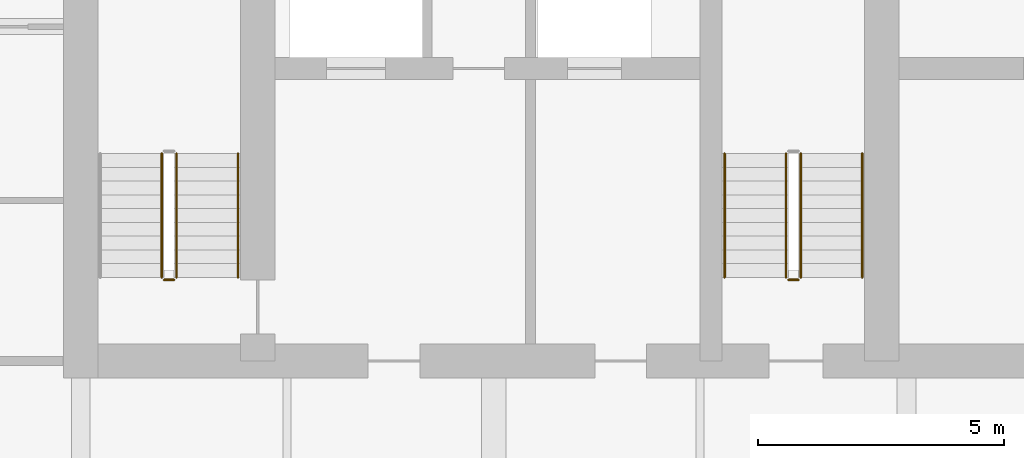
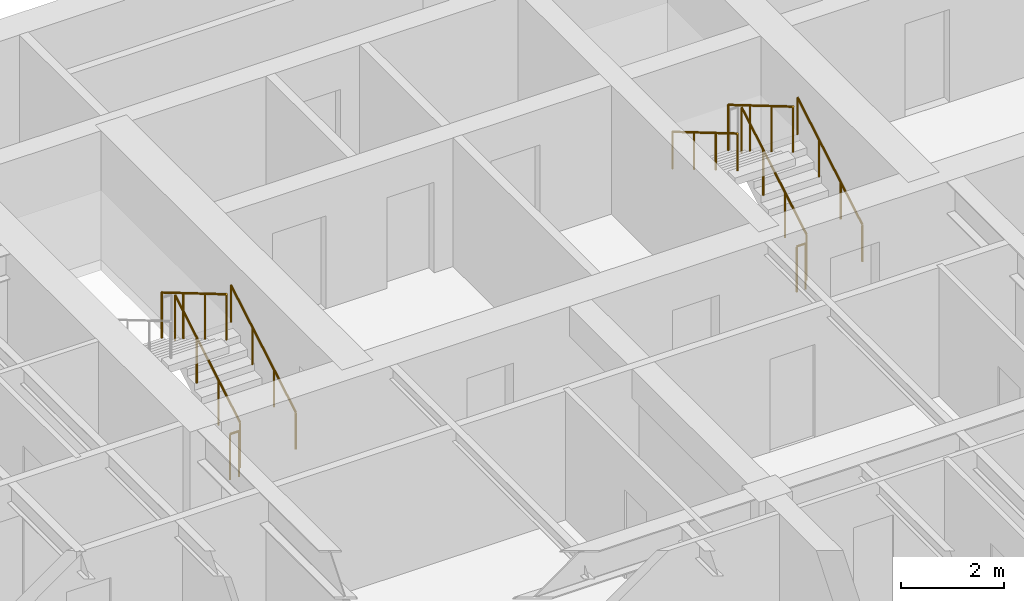
# One storey, part 14 of 17: 9 railings.
"""IFC4 building model written with IfcOpenShell, lengths in metres."""

import ifcopenshell
import ifcopenshell.guid

model = None  # the IFC model being written
_history = None  # IfcOwnerHistory: only IFC2X3 demands one
_inside = {}  # id of a spatial element -> (the spatial element, [elements in it])
_under = {}  # id of a project, library or spatial element -> (it, [spatial elements below it])
_declared = {}  # id of a project -> (the project, [libraries it declares])
_typed = {}  # id of a type object -> (the type object, [elements of that type])
_made_of = {}  # id of a material, layer set ... -> (it, [elements and type objects made of it])


def new_model(schema):
    """Start an empty IFC model of exactly this schema.

    Asked for "IFC4X3", IfcOpenShell would pick the latest addendum, in which some entities
    have other attributes; the version numbers below select the first issue.
    IFC2X3 requires an IfcOwnerHistory on every rooted entity: one is made here for all.
    """
    global model, _history
    if schema == "IFC4X3":
        model = ifcopenshell.file(schema_version=(4, 3, 0, 0))
    else:
        model = ifcopenshell.file(schema=schema)
    _inside.clear()
    _under.clear()
    _declared.clear()
    _typed.clear()
    _made_of.clear()
    _history = None
    if model.schema == "IFC2X3":
        org = make("IfcOrganization", Name="unknown")
        user = make(
            "IfcPersonAndOrganization",
            ThePerson=make("IfcPerson", FamilyName="unknown"),
            TheOrganization=org,
        )
        app = make(
            "IfcApplication",
            ApplicationDeveloper=org,
            Version="unknown",
            ApplicationFullName="unknown",
            ApplicationIdentifier="unknown",
        )
        _history = make(
            "IfcOwnerHistory",
            OwningUser=user,
            OwningApplication=app,
            ChangeAction="ADDED",
            CreationDate=0,
        )
    return model


def make(cls, **values):
    """One entity of the class cls with the attributes given. An attribute that is None is left unset."""
    return model.create_entity(
        cls, **{name: value for name, value in values.items() if value is not None}
    )


def rooted(cls, **values):
    """An entity with a GlobalId (a new one), such as an element, a storey or a relation."""
    return make(cls, GlobalId=ifcopenshell.guid.new(), OwnerHistory=_history, **values)


def si_unit(unit_type, name, prefix=None):
    """IfcSIUnit, for example si_unit("LENGTHUNIT", "METRE", prefix="MILLI")."""
    return make("IfcSIUnit", UnitType=unit_type, Prefix=prefix, Name=name)


def assignment(units):
    """IfcUnitAssignment: the units of a project."""
    return None if units is None else make("IfcUnitAssignment", Units=units)


def point(xyz):
    """IfcCartesianPoint."""
    return None if xyz is None else make("IfcCartesianPoint", Coordinates=xyz)


def direction(xyz):
    """IfcDirection."""
    return None if xyz is None else make("IfcDirection", DirectionRatios=xyz)


def frame(location, z_axis=None, x_axis=None):
    """IfcAxis2Placement3D, a coordinate frame: its origin and axes. An axis left out is left unset."""
    return make(
        "IfcAxis2Placement3D",
        Location=point(location),
        Axis=direction(z_axis),
        RefDirection=direction(x_axis),
    )


def frame_2d(location, x_axis=None):
    """IfcAxis2Placement2D, a coordinate frame in the plane: its origin and x axis."""
    return make(
        "IfcAxis2Placement2D", Location=point(location), RefDirection=direction(x_axis)
    )


def origin():
    """The frame at (0, 0, 0) with its axes left unset."""
    return frame((0.0, 0.0, 0.0))


def origin_2d():
    """The frame at (0, 0) in the plane with its x axis left unset."""
    return frame_2d((0.0, 0.0))


def place(relative_to, where):
    """IfcLocalPlacement: puts the frame where relative to a parent placement (None: the world)."""
    return make(
        "IfcLocalPlacement", PlacementRelTo=relative_to, RelativePlacement=where
    )


def context(
    kind, dimensions, precision=None, world=None, true_north=None, identifier=None
):
    """IfcGeometricRepresentationContext, for example the 3D "Model" context."""
    return make(
        "IfcGeometricRepresentationContext",
        ContextIdentifier=identifier,
        ContextType=kind,
        CoordinateSpaceDimension=dimensions,
        Precision=precision,
        WorldCoordinateSystem=world,
        TrueNorth=true_north,
    )


def subcontext(parent, identifier, kind, view, scale=None):
    """IfcGeometricRepresentationSubContext, for example "Body" below "Model"."""
    return make(
        "IfcGeometricRepresentationSubContext",
        ContextIdentifier=identifier,
        ContextType=kind,
        ParentContext=parent,
        TargetScale=scale,
        TargetView=view,
    )


def project(units=None, contexts=None):
    """IfcProject with its units and contexts."""
    return rooted(
        "IfcProject",
        Name="project",
        RepresentationContexts=contexts,
        UnitsInContext=assignment(units),
    )


def spatial(cls, under=None, at=None, **own):
    """A site, building, storey or space (cls), placed at a placement, below another one or the project."""
    s = rooted(cls, ObjectPlacement=at, **own)
    if under is not None:
        _under.setdefault(under.id(), (under, []))[1].append(s)
    return s


def profile(cls, at=None, kind="AREA", **sizes):
    """A parametric profile (cls). Its sizes go by their IFC names, for example OverallWidth=200.0."""
    return make(cls, ProfileType=kind, Position=at, **sizes)


def circle(**sizes):
    """IfcCircleProfileDef."""
    return profile("IfcCircleProfileDef", **sizes)


def extrude(swept, where, along, depth):
    """IfcExtrudedAreaSolid: the profile swept, set in the frame where, extruded along a direction by depth."""
    return make(
        "IfcExtrudedAreaSolid",
        SweptArea=swept,
        Position=where,
        ExtrudedDirection=direction(along),
        Depth=depth,
    )


def shape(context_of_items, identifier, shape_type, items):
    """IfcShapeRepresentation: the items that make up one representation, for example the "Body"."""
    return make(
        "IfcShapeRepresentation",
        ContextOfItems=context_of_items,
        RepresentationIdentifier=identifier,
        RepresentationType=shape_type,
        Items=items,
    )


def material(Name=None, Category=None):
    """IfcMaterial."""
    return make("IfcMaterial", Name=Name, Category=Category)


def made_of(thing, what):
    """Note that an element or type object is made of a material, layer set ...; save() writes the relation."""
    if what is not None:
        _made_of.setdefault(what.id(), (what, []))[1].append(thing)
    return thing


def type_object(cls, material=None, **own):
    """A type object (cls), such as IfcWallType, which elements share."""
    return made_of(rooted(cls, **own), material)


def element(
    cls,
    number,
    at=None,
    inside=None,
    cuts=None,
    type_object=None,
    material=None,
    context=None,
    identifier="Body",
    shape_type=None,
    held_by="IfcProductDefinitionShape",
    body=None,
    shapes=None,
    **own,
):
    """One element of the class cls, such as IfcWall. Its Tag is "e" and its number.

    at: its placement. inside: the storey or other place that contains it. cuts: it is an
    opening in that element (IfcRelVoidsElement). A single representation is given by context,
    identifier, shape_type and body (its items); several are given by shapes. held_by: the class
    of the entity that holds the representations. save() writes the other relations.
    """
    e = rooted(cls, Tag="e%d" % number, ObjectPlacement=at, **own)
    if body is not None:
        shapes = [shape(context, identifier, shape_type, body)]
    if shapes is not None:
        e.Representation = make(held_by, Representations=shapes)
    if inside is not None:
        _inside.setdefault(inside.id(), (inside, []))[1].append(e)
    if cuts is not None:
        rooted(
            "IfcRelVoidsElement", RelatingBuildingElement=cuts, RelatedOpeningElement=e
        )
    if type_object is not None:
        _typed.setdefault(type_object.id(), (type_object, []))[1].append(e)
    return made_of(e, material)


def aggregate(whole, parts):
    """IfcRelAggregates: a whole, such as a stair, and the parts it consists of."""
    return rooted("IfcRelAggregates", RelatingObject=whole, RelatedObjects=parts)


def save(model, path):
    """Write the relations noted so far, then the file.

    IfcRelAggregates (storeys below a building ...), IfcRelContainedInSpatialStructure (elements
    in a storey), IfcRelDefinesByType, IfcRelAssociatesMaterial and IfcRelDeclares: one each for
    every whole, place, type object, material and project.
    """
    for whole, parts in _under.values():
        aggregate(whole, parts)
    for where, things in _inside.values():
        rooted(
            "IfcRelContainedInSpatialStructure",
            RelatedElements=things,
            RelatingStructure=where,
        )
    for kind, things in _typed.values():
        rooted("IfcRelDefinesByType", RelatedObjects=things, RelatingType=kind)
    for what, things in _made_of.values():
        rooted("IfcRelAssociatesMaterial", RelatedObjects=things, RelatingMaterial=what)
    for by, libraries in _declared.values():
        rooted("IfcRelDeclares", RelatingContext=by, RelatedDefinitions=libraries)
    model.write(path)


model = new_model("IFC4")

# Units and contexts
model_context = context("Model", 3, precision=1e-05, world=origin(), true_north=direction((0.0, 1.0)))
body_context = subcontext(model_context, "Body", "Model", "MODEL_VIEW")
ifc_project = project(units=[si_unit("LENGTHUNIT", "METRE"), si_unit("AREAUNIT", "SQUARE_METRE"), si_unit("VOLUMEUNIT", "CUBIC_METRE"), si_unit("PLANEANGLEUNIT", "RADIAN"), si_unit("MASSUNIT", "GRAM", prefix="KILO")], contexts=[model_context])

# Site, building, storey
site_placement = place(None, origin())
site = spatial("IfcSite", under=ifc_project, at=site_placement, CompositionType="ELEMENT")
building_placement = place(site_placement, origin())
building = spatial("IfcBuilding", under=site, at=building_placement, Name="Caelmar Bay Residences", CompositionType="ELEMENT")
storey_placement = place(building_placement, frame((0.0, 0.0, 259.5)))
storey = spatial("IfcBuildingStorey", under=building, at=storey_placement, Name="L73", CompositionType="ELEMENT", Elevation=259.5)

# Railings
ifc_material_1 = material(Name="Painted galvanized steel stair guard 1100 mm", Category="steel")
railing_type_1 = type_object("IfcRailingType", Name="RL-GRD-1100", PredefinedType="GUARDRAIL", material=ifc_material_1)
railing_1_placement = place(storey_placement, frame((20.25, 38.699951171875, 0.1650390625)))
element("IfcRailing", 1, at=railing_1_placement, inside=storey, type_object=railing_type_1, Name="L73 ST1 stair guard 1", PredefinedType="GUARDRAIL", context=body_context, shape_type="SweptSolid", body=[
    extrude(circle(Radius=0.02392578125, at=origin_2d()), frame((0.0, 0.0, 1.076171875), z_axis=(0.0, 0.861560626758, 0.507654692109), x_axis=(-1.0, 0.0, 0.0)), (0.0, 0.0, 1.0), 2.925048828125),
    extrude(circle(Radius=0.02099609375, at=origin_2d()), origin(), (0.0, 0.0, 1.0), 1.052001953125),
    extrude(circle(Radius=0.02099609375, at=origin_2d()), frame((0.0, 0.840087890625, 0.494873046875)), (0.0, 0.0, 1.0), 1.052001953125),
    extrude(circle(Radius=0.02099609375, at=origin_2d()), frame((0.0, 1.679931640625, 0.989990234375)), (0.0, 0.0, 1.0), 1.052001953125),
    extrude(circle(Radius=0.02099609375, at=origin_2d()), frame((0.0, 2.52001953125, 1.48486328125)), (0.0, 0.0, 1.0), 1.052001953125),
])
railing_2_placement = place(storey_placement, frame((19.949951171875, 41.219970703125, 1.81494140625)))
element("IfcRailing", 2, at=railing_2_placement, inside=storey, type_object=railing_type_1, Name="L73 ST1 stair guard 3", PredefinedType="GUARDRAIL", context=body_context, shape_type="SweptSolid", body=[
    extrude(circle(Radius=0.02392578125, at=origin_2d()), frame((0.0, 0.0, 1.076171875), z_axis=(0.0, -0.86152411907, 0.507716645641), x_axis=(1.0, 0.0, 0.0)), (0.0, 0.0, 1.0), 2.925048828125),
    extrude(circle(Radius=0.02099609375, at=origin_2d()), origin(), (0.0, 0.0, 1.0), 1.052001953125),
    extrude(circle(Radius=0.02099609375, at=origin_2d()), frame((0.0, -0.840087890625, 0.4951171875)), (0.0, 0.0, 1.0), 1.052001953125),
    extrude(circle(Radius=0.02099609375, at=origin_2d()), frame((0.0, -1.679931640625, 0.989990234375)), (0.0, 0.0, 1.0), 1.052001953125),
    extrude(circle(Radius=0.02099609375, at=origin_2d()), frame((0.0, -2.52001953125, 1.485107421875)), (0.0, 0.0, 1.0), 1.052001953125),
])
railing_3_placement = place(storey_placement, frame((20.199951171875, 38.64990234375, 0.0)))
element("IfcRailing", 3, at=railing_3_placement, inside=storey, type_object=railing_type_1, Name="L73 ST1 stair guard 4", PredefinedType="GUARDRAIL", context=body_context, shape_type="SweptSolid", body=[
    extrude(circle(Radius=0.02392578125, at=origin_2d()), frame((0.0, 0.0, 1.076171875), z_axis=(-1.0, 0.0, 0.0), x_axis=(0.0, -1.0, 0.0)), (0.0, 0.0, 1.0), 0.199951171875),
    extrude(circle(Radius=0.02099609375, at=origin_2d()), origin(), (0.0, 0.0, 1.0), 1.052001953125),
    extrude(circle(Radius=0.02099609375, at=origin_2d()), frame((-0.199951171875, 0.0, 0.0)), (0.0, 0.0, 1.0), 1.052001953125),
])
railing_4_placement = place(storey_placement, frame((32.949951171875, 38.699951171875, 0.1650390625)))
element("IfcRailing", 4, at=railing_4_placement, inside=storey, type_object=railing_type_1, Name="L73 ST3 stair guard 1", PredefinedType="GUARDRAIL", context=body_context, shape_type="SweptSolid", body=[
    extrude(circle(Radius=0.02392578125, at=origin_2d()), frame((0.0, 0.0, 1.076171875), z_axis=(0.0, 0.861560626758, 0.507654692109), x_axis=(-1.0, 0.0, 0.0)), (0.0, 0.0, 1.0), 2.925048828125),
    extrude(circle(Radius=0.02099609375, at=origin_2d()), origin(), (0.0, 0.0, 1.0), 1.052001953125),
    extrude(circle(Radius=0.02099609375, at=origin_2d()), frame((0.0, 0.840087890625, 0.494873046875)), (0.0, 0.0, 1.0), 1.052001953125),
    extrude(circle(Radius=0.02099609375, at=origin_2d()), frame((0.0, 1.679931640625, 0.989990234375)), (0.0, 0.0, 1.0), 1.052001953125),
    extrude(circle(Radius=0.02099609375, at=origin_2d()), frame((0.0, 2.52001953125, 1.48486328125)), (0.0, 0.0, 1.0), 1.052001953125),
])
railing_5_placement = place(storey_placement, frame((32.64990234375, 41.219970703125, 1.81494140625)))
element("IfcRailing", 5, at=railing_5_placement, inside=storey, type_object=railing_type_1, Name="L73 ST3 stair guard 3", PredefinedType="GUARDRAIL", context=body_context, shape_type="SweptSolid", body=[
    extrude(circle(Radius=0.02392578125, at=origin_2d()), frame((0.0, 0.0, 1.076171875), z_axis=(0.0, -0.86152411907, 0.507716645641), x_axis=(1.0, 0.0, 0.0)), (0.0, 0.0, 1.0), 2.925048828125),
    extrude(circle(Radius=0.02099609375, at=origin_2d()), origin(), (0.0, 0.0, 1.0), 1.052001953125),
    extrude(circle(Radius=0.02099609375, at=origin_2d()), frame((0.0, -0.840087890625, 0.4951171875)), (0.0, 0.0, 1.0), 1.052001953125),
    extrude(circle(Radius=0.02099609375, at=origin_2d()), frame((0.0, -1.679931640625, 0.989990234375)), (0.0, 0.0, 1.0), 1.052001953125),
    extrude(circle(Radius=0.02099609375, at=origin_2d()), frame((0.0, -2.52001953125, 1.485107421875)), (0.0, 0.0, 1.0), 1.052001953125),
])
railing_6_placement = place(storey_placement, frame((32.89990234375, 38.64990234375, 0.0)))
element("IfcRailing", 6, at=railing_6_placement, inside=storey, type_object=railing_type_1, Name="L73 ST3 stair guard 4", PredefinedType="GUARDRAIL", context=body_context, shape_type="SweptSolid", body=[
    extrude(circle(Radius=0.02392578125, at=origin_2d()), frame((0.0, 0.0, 1.076171875), z_axis=(-1.0, 0.0, 0.0), x_axis=(0.0, -1.0, 0.0)), (0.0, 0.0, 1.0), 0.199951171875),
    extrude(circle(Radius=0.02099609375, at=origin_2d()), origin(), (0.0, 0.0, 1.0), 1.052001953125),
    extrude(circle(Radius=0.02099609375, at=origin_2d()), frame((-0.199951171875, 0.0, 0.0)), (0.0, 0.0, 1.0), 1.052001953125),
])
ifc_material_2 = material(Name="Brushed bronze stainless-steel tubular handrail 900 mm", Category="steel")
railing_type_2 = type_object("IfcRailingType", Name="RL-HND-900", PredefinedType="HANDRAIL", material=ifc_material_2)
for number, where, name in (
    (7, (21.5, 38.699951171875, 0.1650390625), "L73 ST1 stair handrail 1"),
    (8, (34.199951171875, 38.699951171875, 0.1650390625), "L73 ST3 stair handrail 1"),
):
    element("IfcRailing", number, at=place(storey_placement, frame(where)), inside=storey, type_object=railing_type_2, Name=name, PredefinedType="HANDRAIL", context=body_context, shape_type="SweptSolid", body=[
        extrude(circle(Radius=0.02392578125, at=origin_2d()), frame((0.0, 0.0, 0.8759765625), z_axis=(0.0, 0.861560626758, 0.507654692109), x_axis=(-1.0, 0.0, 0.0)), (0.0, 0.0, 1.0), 2.925048828125),
        extrude(circle(Radius=0.02099609375, at=origin_2d()), origin(), (0.0, 0.0, 1.0), 0.851806640625),
        extrude(circle(Radius=0.02099609375, at=origin_2d()), frame((0.0, 0.840087890625, 0.494873046875)), (0.0, 0.0, 1.0), 0.851806640625),
        extrude(circle(Radius=0.02099609375, at=origin_2d()), frame((0.0, 1.679931640625, 0.989990234375)), (0.0, 0.0, 1.0), 0.851806640625),
        extrude(circle(Radius=0.02099609375, at=origin_2d()), frame((0.0, 2.52001953125, 1.48486328125)), (0.0, 0.0, 1.0), 0.851806640625),
    ])
railing_7_placement = place(storey_placement, frame((31.39990234375, 41.219970703125, 1.81494140625)))
element("IfcRailing", 9, at=railing_7_placement, inside=storey, type_object=railing_type_2, Name="L73 ST3 stair handrail 2", PredefinedType="HANDRAIL", context=body_context, shape_type="SweptSolid", body=[
    extrude(circle(Radius=0.02392578125, at=origin_2d()), frame((0.0, 0.0, 0.8759765625), z_axis=(0.0, -0.86152411907, 0.507716645641), x_axis=(1.0, 0.0, 0.0)), (0.0, 0.0, 1.0), 2.925048828125),
    extrude(circle(Radius=0.02099609375, at=origin_2d()), origin(), (0.0, 0.0, 1.0), 0.851806640625),
    extrude(circle(Radius=0.02099609375, at=origin_2d()), frame((0.0, -0.840087890625, 0.4951171875)), (0.0, 0.0, 1.0), 0.851806640625),
    extrude(circle(Radius=0.02099609375, at=origin_2d()), frame((0.0, -1.679931640625, 0.989990234375)), (0.0, 0.0, 1.0), 0.851806640625),
    extrude(circle(Radius=0.02099609375, at=origin_2d()), frame((0.0, -2.52001953125, 1.485107421875)), (0.0, 0.0, 1.0), 0.851806640625),
])

save(model, "model.ifc")
